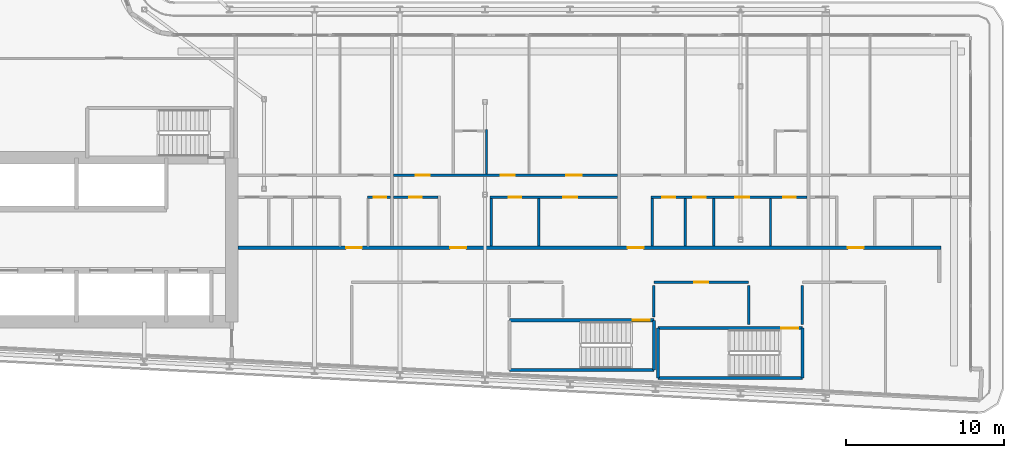
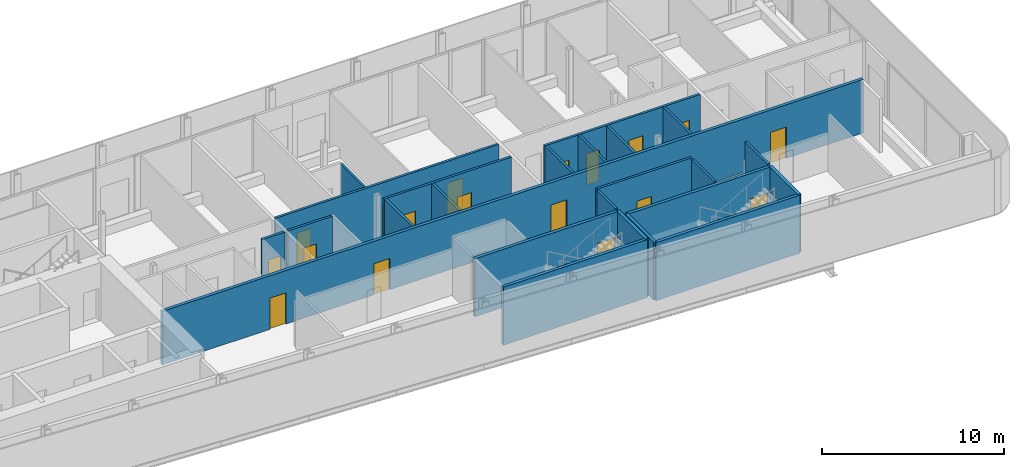
# One storey, part 17 of 29: 24 walls, 18 doors, 18 openings.
"""IFC4 building model written with IfcOpenShell, lengths in metres."""

from ifc_helpers import new_model, si_unit, direction, frame, frame_2d, origin, place, context, subcontext, project, spatial, rectangle, extrude, source, transform, mapped, material, layer, layer_set, type_object, element, fill, save


model = new_model("IFC4")

# Units and contexts
model_context = context("Model", 3, precision=1e-05, world=origin(), true_north=direction((0.0, 1.0)))
body_context = subcontext(model_context, "Body", "Model", "MODEL_VIEW")
ifc_project = project(units=[si_unit("LENGTHUNIT", "METRE"), si_unit("AREAUNIT", "SQUARE_METRE"), si_unit("VOLUMEUNIT", "CUBIC_METRE"), si_unit("PLANEANGLEUNIT", "RADIAN"), si_unit("MASSUNIT", "GRAM", prefix="KILO")], contexts=[model_context])

# Site, building, storey
site_placement = place(None, origin())
site = spatial("IfcSite", under=ifc_project, at=site_placement, CompositionType="ELEMENT")
building_placement = place(site_placement, origin())
building = spatial("IfcBuilding", under=site, at=building_placement, Name="Kheshtan School and Residences Tower", CompositionType="ELEMENT")
storey_placement = place(building_placement, frame((0.0, 0.0, 176.0)))
storey = spatial("IfcBuildingStorey", under=building, at=storey_placement, Name="L41", CompositionType="ELEMENT", Elevation=176.0)

# Wall, openings, doors
ifc_material_1 = material(Name="Gypsum board on steel studs with fire boards", Category="steel")
ifc_layer_1 = layer(ifc_material_1, 0.199951171875)
ifc_layer_set_1 = layer_set([ifc_layer_1], Name="Corridor wall 200")
wall_type_1 = type_object("IfcWallType", Name="Corridor wall 200", PredefinedType="PARTITIONING", material=ifc_layer_set_1)
wall_1_placement = place(storey_placement, frame((53.549072265625, 30.5, 0.0), z_axis=(0.0, 0.0, 1.0), x_axis=(1.0, 0.0, 0.0)))
wall_1 = element("IfcWall", 1, at=wall_1_placement, inside=storey, type_object=wall_type_1, Name="Partition L41-032", PredefinedType="PARTITIONING", context=body_context, shape_type="SweptSolid", body=[
    extrude(rectangle(XDim=44.551025390625, YDim=0.199951171875, at=frame_2d((22.275390625, 0.0))), origin(), (0.0, 0.0, 1.0), 3.60009765625),
])
opening_1_placement = place(wall_1_placement, frame((6.85107421875, 0.0, 0.0)))
opening_1 = element("IfcOpeningElement", 2, at=opening_1_placement, cuts=wall_1, Name="Opening D41-003", PredefinedType="OPENING", context=body_context, shape_type="SweptSolid", body=[
    extrude(rectangle(XDim=1.0, YDim=2.10009765625, at=frame_2d((0.5, 1.050048828125))), frame((0.0, 0.10986328125, 0.0), z_axis=(0.0, -1.0, 0.0), x_axis=(1.0, 0.0, 0.0)), (0.0, 0.0, 1.0), 0.219970703125),
])
opening_2_placement = place(wall_1_placement, frame((13.450927734375, 0.0, 0.0)))
opening_2 = element("IfcOpeningElement", 3, at=opening_2_placement, cuts=wall_1, Name="Opening D41-011", PredefinedType="OPENING", context=body_context, shape_type="SweptSolid", body=[
    extrude(rectangle(XDim=1.0, YDim=2.10009765625, at=frame_2d((0.5, 1.050048828125))), frame((0.0, 0.10986328125, 0.0), z_axis=(0.0, -1.0, 0.0), x_axis=(1.0, 0.0, 0.0)), (0.0, 0.0, 1.0), 0.219970703125),
])
opening_3_placement = place(wall_1_placement, frame((24.700927734375, 0.0, 0.0)))
opening_3 = element("IfcOpeningElement", 4, at=opening_3_placement, cuts=wall_1, Name="Opening D41-019", PredefinedType="OPENING", context=body_context, shape_type="SweptSolid", body=[
    extrude(rectangle(XDim=1.0, YDim=2.10009765625, at=frame_2d((0.5, 1.050048828125))), frame((0.0, 0.10986328125, 0.0), z_axis=(0.0, -1.0, 0.0), x_axis=(1.0, 0.0, 0.0)), (0.0, 0.0, 1.0), 0.219970703125),
])
opening_4_placement = place(wall_1_placement, frame((38.65087890625, 0.0, 0.0)))
opening_4 = element("IfcOpeningElement", 5, at=opening_4_placement, cuts=wall_1, Name="Opening D41-027", PredefinedType="OPENING", context=body_context, shape_type="SweptSolid", body=[
    extrude(rectangle(XDim=1.0, YDim=2.10009765625, at=frame_2d((0.5, 1.050048828125))), frame((0.0, 0.10986328125, 0.0), z_axis=(0.0, -1.0, 0.0), x_axis=(1.0, 0.0, 0.0)), (0.0, 0.0, 1.0), 0.219970703125),
])
ifc_material_2 = material(Name="Steel-framed fire-resisting door leaf", Category="steel")
door_type_1 = type_object("IfcDoorType", Name="Fire door FD30S 1000 x 2100", OperationType="SINGLE_SWING_LEFT", PredefinedType="DOOR", material=ifc_material_2)
shared_shape_1 = source(origin(), body_context, "Body", "SweptSolid", [
    extrude(rectangle(XDim=1.0, YDim=2.10009765625, at=frame_2d((0.5, 1.050048828125))), frame((0.0, 0.02490234375, 0.0), z_axis=(0.0, -1.0, 0.0), x_axis=(1.0, 0.0, 0.0)), (0.0, 0.0, 1.0), 0.050048828125),
])
door_1_placement = place(opening_1_placement, origin())
door_1 = element("IfcDoor", 6, at=door_1_placement, inside=storey, type_object=door_type_1, Name="Door D41-003", OperationType="SINGLE_SWING_LEFT", OverallHeight=2.10009765625, OverallWidth=1.0, PredefinedType="DOOR", context=body_context, shape_type="MappedRepresentation", body=[
    mapped(shared_shape_1, transform((0.0, 0.0, 0.0), x_axis=(1.0, 0.0, 0.0), y_axis=(0.0, 1.0, 0.0), z_axis=(0.0, 0.0, 1.0), scale=1.0)),
])
fill(opening_1, door_1)
door_2_placement = place(opening_2_placement, origin())
door_2 = element("IfcDoor", 7, at=door_2_placement, inside=storey, type_object=door_type_1, Name="Door D41-011", OperationType="SINGLE_SWING_LEFT", OverallHeight=2.10009765625, OverallWidth=1.0, PredefinedType="DOOR", context=body_context, shape_type="MappedRepresentation", body=[
    mapped(shared_shape_1, transform((0.0, 0.0, 0.0), x_axis=(1.0, 0.0, 0.0), y_axis=(0.0, 1.0, 0.0), z_axis=(0.0, 0.0, 1.0), scale=1.0)),
])
fill(opening_2, door_2)
door_3_placement = place(opening_3_placement, origin())
door_3 = element("IfcDoor", 8, at=door_3_placement, inside=storey, type_object=door_type_1, Name="Door D41-019", OperationType="SINGLE_SWING_LEFT", OverallHeight=2.10009765625, OverallWidth=1.0, PredefinedType="DOOR", context=body_context, shape_type="MappedRepresentation", body=[
    mapped(shared_shape_1, transform((0.0, 0.0, 0.0), x_axis=(1.0, 0.0, 0.0), y_axis=(0.0, 1.0, 0.0), z_axis=(0.0, 0.0, 1.0), scale=1.0)),
])
fill(opening_3, door_3)
door_4_placement = place(opening_4_placement, origin())
door_4 = element("IfcDoor", 9, at=door_4_placement, inside=storey, type_object=door_type_1, Name="Door D41-027", OperationType="SINGLE_SWING_LEFT", OverallHeight=2.10009765625, OverallWidth=1.0, PredefinedType="DOOR", context=body_context, shape_type="MappedRepresentation", body=[
    mapped(shared_shape_1, transform((0.0, 0.0, 0.0), x_axis=(1.0, 0.0, 0.0), y_axis=(0.0, 1.0, 0.0), z_axis=(0.0, 0.0, 1.0), scale=1.0)),
])
fill(opening_4, door_4)

# Wall, opening, door
ifc_material_3 = material(Name="Fire-board shaft wall system")
ifc_layer_2 = layer(ifc_material_3, 0.14990234375)
ifc_layer_set_2 = layer_set([ifc_layer_2], Name="Service room wall 150")
wall_type_2 = type_object("IfcWallType", Name="Service room wall 150", PredefinedType="PARTITIONING", material=ifc_layer_set_2)
wall_2_placement = place(storey_placement, frame((79.909912109375, 28.300048828125, 0.0), z_axis=(0.0, 0.0, 1.0), x_axis=(1.0, 0.0, 0.0)))
wall_2 = element("IfcWall", 10, at=wall_2_placement, inside=storey, type_object=wall_type_2, Name="Service room wall", PredefinedType="PARTITIONING", context=body_context, shape_type="SweptSolid", body=[
    extrude(rectangle(XDim=6.010009765625, YDim=0.14990234375, at=frame_2d((3.0048828125, 0.0))), origin(), (0.0, 0.0, 1.0), 3.89990234375),
])
opening_5_placement = place(wall_2_placement, frame((2.554931640625, 0.0, 0.0)))
opening_5 = element("IfcOpeningElement", 11, at=opening_5_placement, cuts=wall_2, Name="Opening SR90", PredefinedType="OPENING", context=body_context, shape_type="SweptSolid", body=[
    extrude(rectangle(XDim=0.89990234375, YDim=2.199951171875, at=frame_2d((0.449951171875, 1.10009765625))), frame((0.0, 0.0849609375, 0.0), z_axis=(0.0, -1.0, 0.0), x_axis=(1.0, 0.0, 0.0)), (0.0, 0.0, 1.0), 0.169921875),
])
ifc_material_4 = material(Name="Steel door leaf, galvanised", Category="steel")
door_type_2 = type_object("IfcDoorType", Name="Service room door 900 steel 90 min", OperationType="SINGLE_SWING_LEFT", PredefinedType="DOOR", material=ifc_material_4)
shared_shape_2 = source(origin(), body_context, "Body", "SweptSolid", [
    extrude(rectangle(XDim=0.89990234375, YDim=2.199951171875, at=frame_2d((0.449951171875, 1.10009765625))), frame((0.0, 0.02490234375, 0.0), z_axis=(0.0, -1.0, 0.0), x_axis=(1.0, 0.0, 0.0)), (0.0, 0.0, 1.0), 0.050048828125),
])
door_5_placement = place(opening_5_placement, origin())
door_5 = element("IfcDoor", 12, at=door_5_placement, inside=storey, type_object=door_type_2, Name="Service room door", OperationType="SINGLE_SWING_LEFT", OverallHeight=2.199951171875, OverallWidth=0.89990234375, PredefinedType="DOOR", context=body_context, shape_type="MappedRepresentation", body=[
    mapped(shared_shape_2, transform((0.0, 0.0, 0.0), x_axis=(1.0, 0.0, 0.0), y_axis=(0.0, 1.0, 0.0), z_axis=(0.0, 0.0, 1.0), scale=1.0)),
])
fill(opening_5, door_5)

# Walls
wall_3_placement = place(storey_placement, frame((79.909912109375, 26.1201171875, 0.0), z_axis=(0.0, 0.0, 1.0), x_axis=(0.0, 1.0, 0.0)))
element("IfcWall", 13, at=wall_3_placement, inside=storey, type_object=wall_type_2, Name="Service room wall", PredefinedType="PARTITIONING", context=body_context, shape_type="SweptSolid", body=[
    extrude(rectangle(XDim=1.98486328125, YDim=0.14990234375, at=frame_2d((0.992431640625, 0.0))), origin(), (0.0, 0.0, 1.0), 3.89990234375),
])
for number, where, z_axis, x_axis, name in (
    (14, (85.919921875, 25.6201171875, 0.0), (0.0, 0.0, 1.0), (0.0, 1.0, 0.0), "Service room wall"),
    (15, (89.320068359375, 25.6201171875, 0.0), (0.0, 0.0, 1.0), (0.0, 1.0, 0.0), "Service room wall"),
):
    element("IfcWall", number, at=place(storey_placement, frame(where, z_axis=z_axis, x_axis=x_axis)), inside=storey, type_object=wall_type_2, Name=name, PredefinedType="PARTITIONING", context=body_context, shape_type="SweptSolid", body=[
        extrude(rectangle(XDim=2.48486328125, YDim=0.14990234375, at=frame_2d((1.242431640625, 0.0))), origin(), (0.0, 0.0, 1.0), 3.89990234375),
    ])
ifc_material_5 = material(Name="Concrete C40/50", Category="concrete")
ifc_layer_3 = layer(ifc_material_5, 0.199951171875)
ifc_layer_set_3 = layer_set([ifc_layer_3], Name="Stair enclosure wall 200 Concrete C40/50")
wall_type_3 = type_object("IfcWallType", Name="Stair enclosure wall 200 Concrete C40/50", PredefinedType="SHEAR", material=ifc_layer_set_3)
wall_4_placement = place(storey_placement, frame((80.159912109375, 22.25, 0.0), z_axis=(0.0, 0.0, 1.0), x_axis=(1.0, 0.0, 0.0)))
element("IfcWall", 16, at=wall_4_placement, inside=storey, type_object=wall_type_3, Name="Stair enclosure wall ST4", PredefinedType="SHEAR", context=body_context, shape_type="SweptSolid", body=[
    extrude(rectangle(XDim=9.16015625, YDim=0.199951171875, at=frame_2d((4.580078125, 0.0))), origin(), (0.0, 0.0, 1.0), 3.89990234375),
])

# Wall, opening, door
wall_5_placement = place(storey_placement, frame((80.159912109375, 25.39990234375, 0.0), z_axis=(0.0, 0.0, 1.0), x_axis=(1.0, 0.0, 0.0)))
wall_5 = element("IfcWall", 17, at=wall_5_placement, inside=storey, type_object=wall_type_3, Name="Stair enclosure wall ST4", PredefinedType="SHEAR", context=body_context, shape_type="SweptSolid", body=[
    extrude(rectangle(XDim=9.16015625, YDim=0.199951171875, at=frame_2d((4.580078125, 0.0))), origin(), (0.0, 0.0, 1.0), 3.89990234375),
])
opening_6_placement = place(wall_5_placement, frame((7.81005859375, 0.0, 0.0)))
opening_6 = element("IfcOpeningElement", 18, at=opening_6_placement, cuts=wall_5, Name="Opening ST4D", PredefinedType="OPENING", context=body_context, shape_type="SweptSolid", body=[
    extrude(rectangle(XDim=1.10009765625, YDim=2.199951171875, at=frame_2d((0.550048828125, 1.10009765625))), frame((0.0, 0.10986328125, 0.0), z_axis=(0.0, -1.0, 0.0), x_axis=(1.0, 0.0, 0.0)), (0.0, 0.0, 1.0), 0.219970703125),
])
door_type_3 = type_object("IfcDoorType", Name="Stair door 1100 steel 90 min", OperationType="SINGLE_SWING_LEFT", PredefinedType="DOOR", material=ifc_material_4)
shared_shape_3 = source(origin(), body_context, "Body", "SweptSolid", [
    extrude(rectangle(XDim=1.10009765625, YDim=2.199951171875, at=frame_2d((0.550048828125, 1.10009765625))), frame((0.0, 0.02490234375, 0.0), z_axis=(0.0, -1.0, 0.0), x_axis=(1.0, 0.0, 0.0)), (0.0, 0.0, 1.0), 0.050048828125),
])
door_6_placement = place(opening_6_placement, origin())
door_6 = element("IfcDoor", 19, at=door_6_placement, inside=storey, type_object=door_type_3, Name="Stair ST4 door", OperationType="SINGLE_SWING_LEFT", OverallHeight=2.199951171875, OverallWidth=1.10009765625, PredefinedType="DOOR", context=body_context, shape_type="MappedRepresentation", body=[
    mapped(shared_shape_3, transform((0.0, 0.0, 0.0), x_axis=(1.0, 0.0, 0.0), y_axis=(0.0, 1.0, 0.0), z_axis=(0.0, 0.0, 1.0), scale=1.0)),
])
fill(opening_6, door_6)

# Walls
for number, where, z_axis, x_axis, name in (
    (20, (80.159912109375, 22.25, 0.0), (0.0, 0.0, 1.0), (0.0, 1.0, 0.0), "Stair enclosure wall ST4"),
    (21, (89.320068359375, 22.25, 0.0), (0.0, 0.0, 1.0), (0.0, 1.0, 0.0), "Stair enclosure wall ST4"),
):
    element("IfcWall", number, at=place(storey_placement, frame(where, z_axis=z_axis, x_axis=x_axis)), inside=storey, type_object=wall_type_3, Name=name, PredefinedType="SHEAR", context=body_context, shape_type="SweptSolid", body=[
        extrude(rectangle(XDim=3.14990234375, YDim=0.199951171875, at=frame_2d((1.574951171875, 0.0))), origin(), (0.0, 0.0, 1.0), 3.89990234375),
    ])
wall_6_placement = place(storey_placement, frame((70.75, 22.75, 0.0), z_axis=(0.0, 0.0, 1.0), x_axis=(1.0, 0.0, 0.0)))
element("IfcWall", 22, at=wall_6_placement, inside=storey, type_object=wall_type_3, Name="Stair enclosure wall ST5", PredefinedType="SHEAR", context=body_context, shape_type="SweptSolid", body=[
    extrude(rectangle(XDim=9.159912109375, YDim=0.199951171875, at=frame_2d((4.580078125, 0.0))), origin(), (0.0, 0.0, 1.0), 3.89990234375),
])

# Wall, opening, door
wall_7_placement = place(storey_placement, frame((70.75, 25.89990234375, 0.0), z_axis=(0.0, 0.0, 1.0), x_axis=(1.0, 0.0, 0.0)))
wall_7 = element("IfcWall", 23, at=wall_7_placement, inside=storey, type_object=wall_type_3, Name="Stair enclosure wall ST5", PredefinedType="SHEAR", context=body_context, shape_type="SweptSolid", body=[
    extrude(rectangle(XDim=9.159912109375, YDim=0.199951171875, at=frame_2d((4.580078125, 0.0))), origin(), (0.0, 0.0, 1.0), 3.89990234375),
])
opening_7_placement = place(wall_7_placement, frame((7.81005859375, 0.0, 0.0)))
opening_7 = element("IfcOpeningElement", 24, at=opening_7_placement, cuts=wall_7, Name="Opening ST5D", PredefinedType="OPENING", context=body_context, shape_type="SweptSolid", body=[
    extrude(rectangle(XDim=1.10009765625, YDim=2.199951171875, at=frame_2d((0.550048828125, 1.10009765625))), frame((0.0, 0.10986328125, 0.0), z_axis=(0.0, -1.0, 0.0), x_axis=(1.0, 0.0, 0.0)), (0.0, 0.0, 1.0), 0.219970703125),
])
door_7_placement = place(opening_7_placement, origin())
door_7 = element("IfcDoor", 25, at=door_7_placement, inside=storey, type_object=door_type_3, Name="Stair ST5 door", OperationType="SINGLE_SWING_LEFT", OverallHeight=2.199951171875, OverallWidth=1.10009765625, PredefinedType="DOOR", context=body_context, shape_type="MappedRepresentation", body=[
    mapped(shared_shape_3, transform((0.0, 0.0, 0.0), x_axis=(1.0, 0.0, 0.0), y_axis=(0.0, 1.0, 0.0), z_axis=(0.0, 0.0, 1.0), scale=1.0)),
])
fill(opening_7, door_7)

# Wall
wall_8_placement = place(storey_placement, frame((79.909912109375, 22.75, 0.0), z_axis=(0.0, 0.0, 1.0), x_axis=(0.0, 1.0, 0.0)))
element("IfcWall", 26, at=wall_8_placement, inside=storey, type_object=wall_type_3, Name="Stair enclosure wall ST5", PredefinedType="SHEAR", context=body_context, shape_type="SweptSolid", body=[
    extrude(rectangle(XDim=3.14990234375, YDim=0.199951171875, at=frame_2d((1.574951171875, 0.0))), origin(), (0.0, 0.0, 1.0), 3.89990234375),
])

# Wall, opening, door
ifc_material_6 = material(Name="Moisture-resistant gypsum board on steel studs", Category="steel")
ifc_layer_4 = layer(ifc_material_6, 0.14990234375)
ifc_layer_set_4 = layer_set([ifc_layer_4], Name="Wet-room partition 150")
wall_type_4 = type_object("IfcWallType", Name="Wet-room partition 150", PredefinedType="PARTITIONING", material=ifc_layer_set_4)
wall_9_placement = place(storey_placement, frame((61.75, 33.699951171875, 0.0), z_axis=(0.0, 0.0, 1.0), x_axis=(1.0, 0.0, 0.0)))
wall_9 = element("IfcWall", 27, at=wall_9_placement, inside=storey, type_object=wall_type_4, Name="Partition L41-039", PredefinedType="PARTITIONING", context=body_context, shape_type="SweptSolid", body=[
    extrude(rectangle(XDim=1.449951171875, YDim=0.14990234375, at=frame_2d((0.72509765625, 0.0))), origin(), (0.0, 0.0, 1.0), 3.60009765625),
])
opening_8_placement = place(wall_9_placement, frame((0.39990234375, 0.0, 0.0)))
opening_8 = element("IfcOpeningElement", 28, at=opening_8_placement, cuts=wall_9, Name="Opening D41-006", PredefinedType="OPENING", context=body_context, shape_type="SweptSolid", body=[
    extrude(rectangle(XDim=0.800048828125, YDim=2.10009765625, at=frame_2d((0.39990234375, 1.050048828125))), frame((0.0, 0.0849609375, 0.0), z_axis=(0.0, -1.0, 0.0), x_axis=(1.0, 0.0, 0.0)), (0.0, 0.0, 1.0), 0.169921875),
])
ifc_material_7 = material(Name="Veneered timber door leaf", Category="wood")
door_type_4 = type_object("IfcDoorType", Name="Door 800 x 2100", OperationType="SINGLE_SWING_LEFT", PredefinedType="DOOR", material=ifc_material_7)
shared_shape_4 = source(origin(), body_context, "Body", "SweptSolid", [
    extrude(rectangle(XDim=0.800048828125, YDim=2.10009765625, at=frame_2d((0.39990234375, 1.050048828125))), frame((0.0, 0.02490234375, 0.0), z_axis=(0.0, -1.0, 0.0), x_axis=(1.0, 0.0, 0.0)), (0.0, 0.0, 1.0), 0.050048828125),
])
door_8_placement = place(opening_8_placement, origin())
door_8 = element("IfcDoor", 29, at=door_8_placement, inside=storey, type_object=door_type_4, Name="Door D41-006", OperationType="SINGLE_SWING_LEFT", OverallHeight=2.10009765625, OverallWidth=0.800048828125, PredefinedType="DOOR", context=body_context, shape_type="MappedRepresentation", body=[
    mapped(shared_shape_4, transform((0.0, 0.0, 0.0), x_axis=(1.0, 0.0, 0.0), y_axis=(0.0, 1.0, 0.0), z_axis=(0.0, 0.0, 1.0), scale=1.0)),
])
fill(opening_8, door_8)

wall_10_placement = place(storey_placement, frame((63.39990234375, 33.699951171875, 0.0), z_axis=(0.0, 0.0, 1.0), x_axis=(1.0, 0.0, 0.0)))
wall_10 = element("IfcWall", 30, at=wall_10_placement, inside=storey, type_object=wall_type_4, Name="Partition L41-042", PredefinedType="PARTITIONING", context=body_context, shape_type="SweptSolid", body=[
    extrude(rectangle(XDim=2.8251953125, YDim=0.14990234375, at=frame_2d((1.41259765625, 0.0))), origin(), (0.0, 0.0, 1.0), 3.60009765625),
])
opening_9_placement = place(wall_10_placement, frame((1.0, 0.0, 0.0)))
opening_9 = element("IfcOpeningElement", 31, at=opening_9_placement, cuts=wall_10, Name="Opening D41-008", PredefinedType="OPENING", context=body_context, shape_type="SweptSolid", body=[
    extrude(rectangle(XDim=0.800048828125, YDim=2.10009765625, at=frame_2d((0.39990234375, 1.050048828125))), frame((0.0, 0.0849609375, 0.0), z_axis=(0.0, -1.0, 0.0), x_axis=(1.0, 0.0, 0.0)), (0.0, 0.0, 1.0), 0.169921875),
])
door_9_placement = place(opening_9_placement, origin())
door_9 = element("IfcDoor", 32, at=door_9_placement, inside=storey, type_object=door_type_4, Name="Door D41-008", OperationType="SINGLE_SWING_LEFT", OverallHeight=2.10009765625, OverallWidth=0.800048828125, PredefinedType="DOOR", context=body_context, shape_type="MappedRepresentation", body=[
    mapped(shared_shape_4, transform((0.0, 0.0, 0.0), x_axis=(1.0, 0.0, 0.0), y_axis=(0.0, 1.0, 0.0), z_axis=(0.0, 0.0, 1.0), scale=1.0)),
])
fill(opening_9, door_9)

# Wall, openings, doors
wall_11_placement = place(storey_placement, frame((63.39990234375, 35.10009765625, 0.0), z_axis=(0.0, 0.0, 1.0), x_axis=(1.0, 0.0, 0.0)))
wall_11 = element("IfcWall", 33, at=wall_11_placement, inside=storey, type_object=wall_type_4, Name="Partition L41-043", PredefinedType="PARTITIONING", context=body_context, shape_type="SweptSolid", body=[
    extrude(rectangle(XDim=14.2001953125, YDim=0.14990234375, at=frame_2d((7.10009765625, 0.0))), origin(), (0.0, 0.0, 1.0), 3.60009765625),
])
opening_10_placement = place(wall_11_placement, frame((1.39990234375, 0.0, 0.0)))
opening_10 = element("IfcOpeningElement", 34, at=opening_10_placement, cuts=wall_11, Name="Opening D41-009", PredefinedType="OPENING", context=body_context, shape_type="SweptSolid", body=[
    extrude(rectangle(XDim=0.89990234375, YDim=2.10009765625, at=frame_2d((0.449951171875, 1.050048828125))), frame((0.0, 0.0849609375, 0.0), z_axis=(0.0, -1.0, 0.0), x_axis=(1.0, 0.0, 0.0)), (0.0, 0.0, 1.0), 0.169921875),
])
opening_11_placement = place(wall_11_placement, frame((10.949951171875, 0.0, 0.0)))
opening_11 = element("IfcOpeningElement", 35, at=opening_11_placement, cuts=wall_11, Name="Opening D41-013", PredefinedType="OPENING", context=body_context, shape_type="SweptSolid", body=[
    extrude(rectangle(XDim=1.0, YDim=2.10009765625, at=frame_2d((0.5, 1.050048828125))), frame((0.0, 0.0849609375, 0.0), z_axis=(0.0, -1.0, 0.0), x_axis=(1.0, 0.0, 0.0)), (0.0, 0.0, 1.0), 0.169921875),
])
opening_12_placement = place(wall_11_placement, frame((6.800048828125, 0.0, 0.0)))
opening_12 = element("IfcOpeningElement", 36, at=opening_12_placement, cuts=wall_11, Name="Opening D41-014", PredefinedType="OPENING", context=body_context, shape_type="SweptSolid", body=[
    extrude(rectangle(XDim=0.89990234375, YDim=2.10009765625, at=frame_2d((0.449951171875, 1.050048828125))), frame((0.0, 0.0849609375, 0.0), z_axis=(0.0, -1.0, 0.0), x_axis=(1.0, 0.0, 0.0)), (0.0, 0.0, 1.0), 0.169921875),
])
door_type_5 = type_object("IfcDoorType", Name="Door 1000 x 2100", OperationType="SINGLE_SWING_LEFT", PredefinedType="DOOR", material=ifc_material_7)
shared_shape_5 = source(origin(), body_context, "Body", "SweptSolid", [
    extrude(rectangle(XDim=1.0, YDim=2.10009765625, at=frame_2d((0.5, 1.050048828125))), frame((0.0, 0.02490234375, 0.0), z_axis=(0.0, -1.0, 0.0), x_axis=(1.0, 0.0, 0.0)), (0.0, 0.0, 1.0), 0.050048828125),
])
door_10_placement = place(opening_11_placement, origin())
door_10 = element("IfcDoor", 37, at=door_10_placement, inside=storey, type_object=door_type_5, Name="Door D41-013", OperationType="SINGLE_SWING_LEFT", OverallHeight=2.10009765625, OverallWidth=1.0, PredefinedType="DOOR", context=body_context, shape_type="MappedRepresentation", body=[
    mapped(shared_shape_5, transform((0.0, 0.0, 0.0), x_axis=(1.0, 0.0, 0.0), y_axis=(0.0, 1.0, 0.0), z_axis=(0.0, 0.0, 1.0), scale=1.0)),
])
fill(opening_11, door_10)
door_type_6 = type_object("IfcDoorType", Name="Door 900 x 2100", OperationType="SINGLE_SWING_LEFT", PredefinedType="DOOR", material=ifc_material_7)
shared_shape_6 = source(origin(), body_context, "Body", "SweptSolid", [
    extrude(rectangle(XDim=0.89990234375, YDim=2.10009765625, at=frame_2d((0.449951171875, 1.050048828125))), frame((0.0, 0.02490234375, 0.0), z_axis=(0.0, -1.0, 0.0), x_axis=(1.0, 0.0, 0.0)), (0.0, 0.0, 1.0), 0.050048828125),
])
door_11_placement = place(opening_10_placement, origin())
door_11 = element("IfcDoor", 38, at=door_11_placement, inside=storey, type_object=door_type_6, Name="Door D41-009", OperationType="SINGLE_SWING_RIGHT", OverallHeight=2.10009765625, OverallWidth=0.89990234375, PredefinedType="DOOR", context=body_context, shape_type="MappedRepresentation", body=[
    mapped(shared_shape_6, transform((0.0, 0.0, 0.0), x_axis=(1.0, 0.0, 0.0), y_axis=(0.0, 1.0, 0.0), z_axis=(0.0, 0.0, 1.0), scale=1.0)),
])
fill(opening_10, door_11)
door_12_placement = place(opening_12_placement, origin())
door_12 = element("IfcDoor", 39, at=door_12_placement, inside=storey, type_object=door_type_6, Name="Door D41-014", OperationType="SINGLE_SWING_LEFT", OverallHeight=2.10009765625, OverallWidth=0.89990234375, PredefinedType="DOOR", context=body_context, shape_type="MappedRepresentation", body=[
    mapped(shared_shape_6, transform((0.0, 0.0, 0.0), x_axis=(1.0, 0.0, 0.0), y_axis=(0.0, 1.0, 0.0), z_axis=(0.0, 0.0, 1.0), scale=1.0)),
])
fill(opening_12, door_12)

# Wall
wall_12_placement = place(storey_placement, frame((69.300048828125, 35.175048828125, 0.0), z_axis=(0.0, 0.0, 1.0), x_axis=(0.0, 1.0, 0.0)))
element("IfcWall", 40, at=wall_12_placement, inside=storey, type_object=wall_type_4, Name="Partition L41-047", PredefinedType="PARTITIONING", context=body_context, shape_type="SweptSolid", body=[
    extrude(rectangle(XDim=2.800048828125, YDim=0.14990234375, at=frame_2d((1.39990234375, 0.0))), origin(), (0.0, 0.0, 1.0), 3.447021484375),
])

# Wall, openings, doors
wall_13_placement = place(storey_placement, frame((69.52490234375, 33.699951171875, 0.0), z_axis=(0.0, 0.0, 1.0), x_axis=(1.0, 0.0, 0.0)))
wall_13 = element("IfcWall", 41, at=wall_13_placement, inside=storey, type_object=wall_type_4, Name="Partition L41-048", PredefinedType="PARTITIONING", context=body_context, shape_type="SweptSolid", body=[
    extrude(rectangle(XDim=8.0751953125, YDim=0.14990234375, at=frame_2d((4.03759765625, 0.0))), origin(), (0.0, 0.0, 1.0), 3.60009765625),
])
opening_13_placement = place(wall_13_placement, frame((4.625, 0.0, 0.0)))
opening_13 = element("IfcOpeningElement", 42, at=opening_13_placement, cuts=wall_13, Name="Opening D41-012", PredefinedType="OPENING", context=body_context, shape_type="SweptSolid", body=[
    extrude(rectangle(XDim=0.89990234375, YDim=2.10009765625, at=frame_2d((0.449951171875, 1.050048828125))), frame((0.0, 0.0849609375, 0.0), z_axis=(0.0, -1.0, 0.0), x_axis=(1.0, 0.0, 0.0)), (0.0, 0.0, 1.0), 0.169921875),
])
opening_14_placement = place(wall_13_placement, frame((1.175048828125, 0.0, 0.0)))
opening_14 = element("IfcOpeningElement", 43, at=opening_14_placement, cuts=wall_13, Name="Opening D41-015", PredefinedType="OPENING", context=body_context, shape_type="SweptSolid", body=[
    extrude(rectangle(XDim=0.800048828125, YDim=2.10009765625, at=frame_2d((0.39990234375, 1.050048828125))), frame((0.0, 0.0849609375, 0.0), z_axis=(0.0, -1.0, 0.0), x_axis=(1.0, 0.0, 0.0)), (0.0, 0.0, 1.0), 0.169921875),
])
door_13_placement = place(opening_14_placement, origin())
door_13 = element("IfcDoor", 44, at=door_13_placement, inside=storey, type_object=door_type_4, Name="Door D41-015", OperationType="SINGLE_SWING_LEFT", OverallHeight=2.10009765625, OverallWidth=0.800048828125, PredefinedType="DOOR", context=body_context, shape_type="MappedRepresentation", body=[
    mapped(shared_shape_4, transform((0.0, 0.0, 0.0), x_axis=(1.0, 0.0, 0.0), y_axis=(0.0, 1.0, 0.0), z_axis=(0.0, 0.0, 1.0), scale=1.0)),
])
fill(opening_14, door_13)
door_14_placement = place(opening_13_placement, origin())
door_14 = element("IfcDoor", 45, at=door_14_placement, inside=storey, type_object=door_type_6, Name="Door D41-012", OperationType="SINGLE_SWING_LEFT", OverallHeight=2.10009765625, OverallWidth=0.89990234375, PredefinedType="DOOR", context=body_context, shape_type="MappedRepresentation", body=[
    mapped(shared_shape_6, transform((0.0, 0.0, 0.0), x_axis=(1.0, 0.0, 0.0), y_axis=(0.0, 1.0, 0.0), z_axis=(0.0, 0.0, 1.0), scale=1.0)),
])
fill(opening_13, door_14)

# Walls
for number, where, z_axis, x_axis, name in (
    (46, (69.60009765625, 30.60009765625, 0.0), (0.0, 0.0, 1.0), (0.0, 1.0, 0.0), "Partition L41-049"),
    (47, (72.60009765625, 30.60009765625, 0.0), (0.0, 0.0, 1.0), (0.0, 1.0, 0.0), "Partition L41-051"),
):
    element("IfcWall", number, at=place(storey_placement, frame(where, z_axis=z_axis, x_axis=x_axis)), inside=storey, type_object=wall_type_4, Name=name, PredefinedType="PARTITIONING", context=body_context, shape_type="SweptSolid", body=[
        extrude(rectangle(XDim=3.02490234375, YDim=0.14990234375, at=frame_2d((1.512451171875, 0.0))), origin(), (0.0, 0.0, 1.0), 3.60009765625),
    ])

# Wall, openings, doors
wall_14_placement = place(storey_placement, frame((79.72509765625, 33.699951171875, 0.0), z_axis=(0.0, 0.0, 1.0), x_axis=(1.0, 0.0, 0.0)))
wall_14 = element("IfcWall", 48, at=wall_14_placement, inside=storey, type_object=wall_type_4, Name="Partition L41-054", PredefinedType="PARTITIONING", context=body_context, shape_type="SweptSolid", body=[
    extrude(rectangle(XDim=9.875, YDim=0.14990234375, at=frame_2d((4.9375, 0.0))), origin(), (0.0, 0.0, 1.0), 3.60009765625),
])
opening_15_placement = place(wall_14_placement, frame((8.375, 0.0, 0.0)))
opening_15 = element("IfcOpeningElement", 49, at=opening_15_placement, cuts=wall_14, Name="Opening D41-016", PredefinedType="OPENING", context=body_context, shape_type="SweptSolid", body=[
    extrude(rectangle(XDim=0.800048828125, YDim=2.10009765625, at=frame_2d((0.39990234375, 1.050048828125))), frame((0.0, 0.0849609375, 0.0), z_axis=(0.0, -1.0, 0.0), x_axis=(1.0, 0.0, 0.0)), (0.0, 0.0, 1.0), 0.169921875),
])
opening_16_placement = place(wall_14_placement, frame((5.324951171875, 0.0, 0.0)))
opening_16 = element("IfcOpeningElement", 50, at=opening_16_placement, cuts=wall_14, Name="Opening D41-020", PredefinedType="OPENING", context=body_context, shape_type="SweptSolid", body=[
    extrude(rectangle(XDim=0.89990234375, YDim=2.10009765625, at=frame_2d((0.449951171875, 1.050048828125))), frame((0.0, 0.0849609375, 0.0), z_axis=(0.0, -1.0, 0.0), x_axis=(1.0, 0.0, 0.0)), (0.0, 0.0, 1.0), 0.169921875),
])
opening_17_placement = place(wall_14_placement, frame((0.72509765625, 0.0, 0.0)))
opening_17 = element("IfcOpeningElement", 51, at=opening_17_placement, cuts=wall_14, Name="Opening D41-021", PredefinedType="OPENING", context=body_context, shape_type="SweptSolid", body=[
    extrude(rectangle(XDim=0.800048828125, YDim=2.10009765625, at=frame_2d((0.39990234375, 1.050048828125))), frame((0.0, 0.0849609375, 0.0), z_axis=(0.0, -1.0, 0.0), x_axis=(1.0, 0.0, 0.0)), (0.0, 0.0, 1.0), 0.169921875),
])
opening_18_placement = place(wall_14_placement, frame((2.675048828125, 0.0, 0.0)))
opening_18 = element("IfcOpeningElement", 52, at=opening_18_placement, cuts=wall_14, Name="Opening D41-024", PredefinedType="OPENING", context=body_context, shape_type="SweptSolid", body=[
    extrude(rectangle(XDim=0.800048828125, YDim=2.10009765625, at=frame_2d((0.39990234375, 1.050048828125))), frame((0.0, 0.0849609375, 0.0), z_axis=(0.0, -1.0, 0.0), x_axis=(1.0, 0.0, 0.0)), (0.0, 0.0, 1.0), 0.169921875),
])
door_15_placement = place(opening_15_placement, origin())
door_15 = element("IfcDoor", 53, at=door_15_placement, inside=storey, type_object=door_type_4, Name="Door D41-016", OperationType="SINGLE_SWING_LEFT", OverallHeight=2.10009765625, OverallWidth=0.800048828125, PredefinedType="DOOR", context=body_context, shape_type="MappedRepresentation", body=[
    mapped(shared_shape_4, transform((0.0, 0.0, 0.0), x_axis=(1.0, 0.0, 0.0), y_axis=(0.0, 1.0, 0.0), z_axis=(0.0, 0.0, 1.0), scale=1.0)),
])
fill(opening_15, door_15)
door_16_placement = place(opening_17_placement, origin())
door_16 = element("IfcDoor", 54, at=door_16_placement, inside=storey, type_object=door_type_4, Name="Door D41-021", OperationType="SINGLE_SWING_RIGHT", OverallHeight=2.10009765625, OverallWidth=0.800048828125, PredefinedType="DOOR", context=body_context, shape_type="MappedRepresentation", body=[
    mapped(shared_shape_4, transform((0.0, 0.0, 0.0), x_axis=(1.0, 0.0, 0.0), y_axis=(0.0, 1.0, 0.0), z_axis=(0.0, 0.0, 1.0), scale=1.0)),
])
fill(opening_17, door_16)
door_17_placement = place(opening_18_placement, origin())
door_17 = element("IfcDoor", 55, at=door_17_placement, inside=storey, type_object=door_type_4, Name="Door D41-024", OperationType="SINGLE_SWING_RIGHT", OverallHeight=2.10009765625, OverallWidth=0.800048828125, PredefinedType="DOOR", context=body_context, shape_type="MappedRepresentation", body=[
    mapped(shared_shape_4, transform((0.0, 0.0, 0.0), x_axis=(1.0, 0.0, 0.0), y_axis=(0.0, 1.0, 0.0), z_axis=(0.0, 0.0, 1.0), scale=1.0)),
])
fill(opening_18, door_17)
door_18_placement = place(opening_16_placement, origin())
door_18 = element("IfcDoor", 56, at=door_18_placement, inside=storey, type_object=door_type_6, Name="Door D41-020", OperationType="SINGLE_SWING_RIGHT", OverallHeight=2.10009765625, OverallWidth=0.89990234375, PredefinedType="DOOR", context=body_context, shape_type="MappedRepresentation", body=[
    mapped(shared_shape_6, transform((0.0, 0.0, 0.0), x_axis=(1.0, 0.0, 0.0), y_axis=(0.0, 1.0, 0.0), z_axis=(0.0, 0.0, 1.0), scale=1.0)),
])
fill(opening_16, door_18)

# Walls
for number, where, z_axis, x_axis, name in (
    (57, (79.800048828125, 30.60009765625, 0.0), (0.0, 0.0, 1.0), (0.0, 1.0, 0.0), "Partition L41-055"),
    (58, (81.89990234375, 30.60009765625, 0.0), (0.0, 0.0, 1.0), (0.0, 1.0, 0.0), "Partition L41-056"),
    (59, (83.699951171875, 30.60009765625, 0.0), (0.0, 0.0, 1.0), (0.0, 1.0, 0.0), "Partition L41-058"),
    (60, (87.300048828125, 30.60009765625, 0.0), (0.0, 0.0, 1.0), (0.0, 1.0, 0.0), "Partition L41-060"),
):
    element("IfcWall", number, at=place(storey_placement, frame(where, z_axis=z_axis, x_axis=x_axis)), inside=storey, type_object=wall_type_4, Name=name, PredefinedType="PARTITIONING", context=body_context, shape_type="SweptSolid", body=[
        extrude(rectangle(XDim=3.02490234375, YDim=0.14990234375, at=frame_2d((1.512451171875, 0.0))), origin(), (0.0, 0.0, 1.0), 3.60009765625),
    ])

save(model, "model.ifc")
